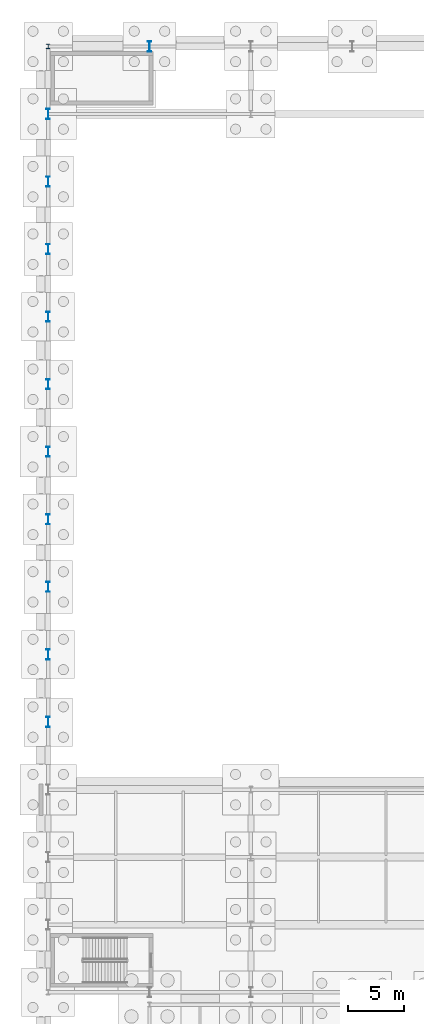
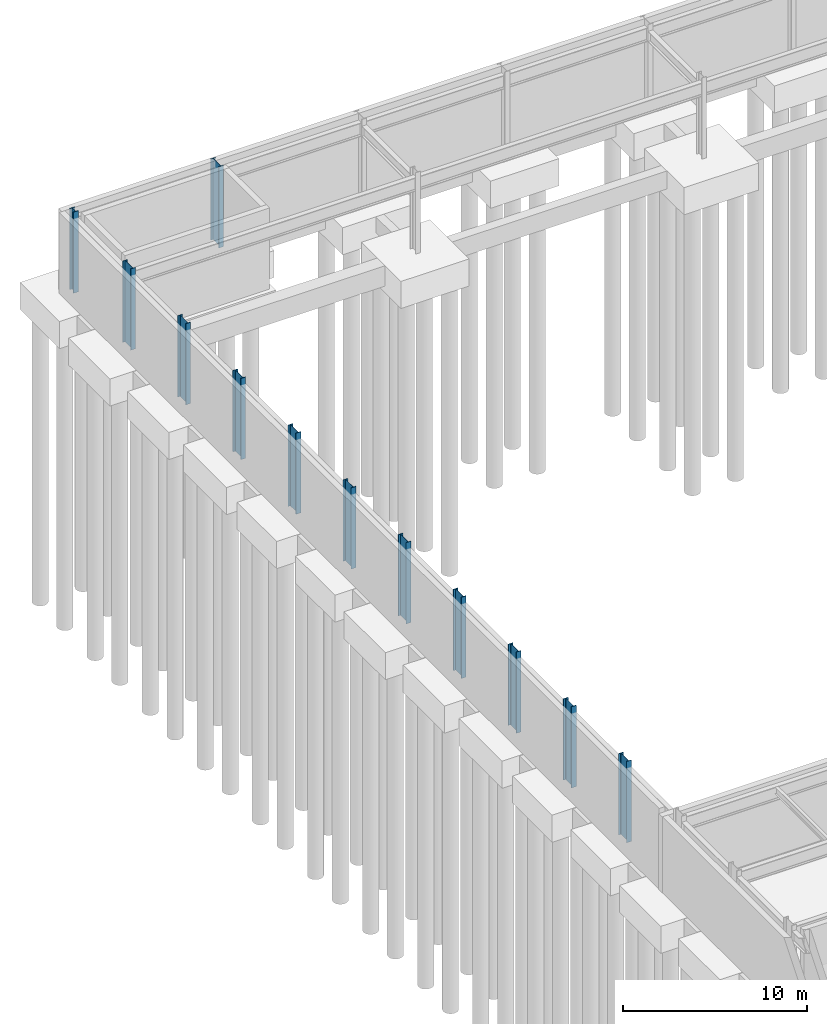
# One storey, part 21 of 65: 12 columns.
"""IFC4 building model written with IfcOpenShell, lengths in metres."""

import ifcopenshell
import ifcopenshell.guid

model = None  # the IFC model being written
_history = None  # IfcOwnerHistory: only IFC2X3 demands one
_inside = {}  # id of a spatial element -> (the spatial element, [elements in it])
_under = {}  # id of a project, library or spatial element -> (it, [spatial elements below it])
_declared = {}  # id of a project -> (the project, [libraries it declares])
_typed = {}  # id of a type object -> (the type object, [elements of that type])
_made_of = {}  # id of a material, layer set ... -> (it, [elements and type objects made of it])


def new_model(schema):
    """Start an empty IFC model of exactly this schema.

    Asked for "IFC4X3", IfcOpenShell would pick the latest addendum, in which some entities
    have other attributes; the version numbers below select the first issue.
    IFC2X3 requires an IfcOwnerHistory on every rooted entity: one is made here for all.
    """
    global model, _history
    if schema == "IFC4X3":
        model = ifcopenshell.file(schema_version=(4, 3, 0, 0))
    else:
        model = ifcopenshell.file(schema=schema)
    _inside.clear()
    _under.clear()
    _declared.clear()
    _typed.clear()
    _made_of.clear()
    _history = None
    if model.schema == "IFC2X3":
        org = make("IfcOrganization", Name="unknown")
        user = make(
            "IfcPersonAndOrganization",
            ThePerson=make("IfcPerson", FamilyName="unknown"),
            TheOrganization=org,
        )
        app = make(
            "IfcApplication",
            ApplicationDeveloper=org,
            Version="unknown",
            ApplicationFullName="unknown",
            ApplicationIdentifier="unknown",
        )
        _history = make(
            "IfcOwnerHistory",
            OwningUser=user,
            OwningApplication=app,
            ChangeAction="ADDED",
            CreationDate=0,
        )
    return model


def make(cls, **values):
    """One entity of the class cls with the attributes given. An attribute that is None is left unset."""
    return model.create_entity(
        cls, **{name: value for name, value in values.items() if value is not None}
    )


def rooted(cls, **values):
    """An entity with a GlobalId (a new one), such as an element, a storey or a relation."""
    return make(cls, GlobalId=ifcopenshell.guid.new(), OwnerHistory=_history, **values)


def si_unit(unit_type, name, prefix=None):
    """IfcSIUnit, for example si_unit("LENGTHUNIT", "METRE", prefix="MILLI")."""
    return make("IfcSIUnit", UnitType=unit_type, Prefix=prefix, Name=name)


def assignment(units):
    """IfcUnitAssignment: the units of a project."""
    return None if units is None else make("IfcUnitAssignment", Units=units)


def point(xyz):
    """IfcCartesianPoint."""
    return None if xyz is None else make("IfcCartesianPoint", Coordinates=xyz)


def direction(xyz):
    """IfcDirection."""
    return None if xyz is None else make("IfcDirection", DirectionRatios=xyz)


def frame(location, z_axis=None, x_axis=None):
    """IfcAxis2Placement3D, a coordinate frame: its origin and axes. An axis left out is left unset."""
    return make(
        "IfcAxis2Placement3D",
        Location=point(location),
        Axis=direction(z_axis),
        RefDirection=direction(x_axis),
    )


def frame_2d(location, x_axis=None):
    """IfcAxis2Placement2D, a coordinate frame in the plane: its origin and x axis."""
    return make(
        "IfcAxis2Placement2D", Location=point(location), RefDirection=direction(x_axis)
    )


def origin():
    """The frame at (0, 0, 0) with its axes left unset."""
    return frame((0.0, 0.0, 0.0))


def origin_2d():
    """The frame at (0, 0) in the plane with its x axis left unset."""
    return frame_2d((0.0, 0.0))


def place(relative_to, where):
    """IfcLocalPlacement: puts the frame where relative to a parent placement (None: the world)."""
    return make(
        "IfcLocalPlacement", PlacementRelTo=relative_to, RelativePlacement=where
    )


def context(
    kind, dimensions, precision=None, world=None, true_north=None, identifier=None
):
    """IfcGeometricRepresentationContext, for example the 3D "Model" context."""
    return make(
        "IfcGeometricRepresentationContext",
        ContextIdentifier=identifier,
        ContextType=kind,
        CoordinateSpaceDimension=dimensions,
        Precision=precision,
        WorldCoordinateSystem=world,
        TrueNorth=true_north,
    )


def subcontext(parent, identifier, kind, view, scale=None):
    """IfcGeometricRepresentationSubContext, for example "Body" below "Model"."""
    return make(
        "IfcGeometricRepresentationSubContext",
        ContextIdentifier=identifier,
        ContextType=kind,
        ParentContext=parent,
        TargetScale=scale,
        TargetView=view,
    )


def project(units=None, contexts=None):
    """IfcProject with its units and contexts."""
    return rooted(
        "IfcProject",
        Name="project",
        RepresentationContexts=contexts,
        UnitsInContext=assignment(units),
    )


def spatial(cls, under=None, at=None, **own):
    """A site, building, storey or space (cls), placed at a placement, below another one or the project."""
    s = rooted(cls, ObjectPlacement=at, **own)
    if under is not None:
        _under.setdefault(under.id(), (under, []))[1].append(s)
    return s


def profile(cls, at=None, kind="AREA", **sizes):
    """A parametric profile (cls). Its sizes go by their IFC names, for example OverallWidth=200.0."""
    return make(cls, ProfileType=kind, Position=at, **sizes)


def i_section(**sizes):
    """IfcIShapeProfileDef."""
    return profile("IfcIShapeProfileDef", **sizes)


def extrude(swept, where, along, depth):
    """IfcExtrudedAreaSolid: the profile swept, set in the frame where, extruded along a direction by depth."""
    return make(
        "IfcExtrudedAreaSolid",
        SweptArea=swept,
        Position=where,
        ExtrudedDirection=direction(along),
        Depth=depth,
    )


def shape(context_of_items, identifier, shape_type, items):
    """IfcShapeRepresentation: the items that make up one representation, for example the "Body"."""
    return make(
        "IfcShapeRepresentation",
        ContextOfItems=context_of_items,
        RepresentationIdentifier=identifier,
        RepresentationType=shape_type,
        Items=items,
    )


def material(Name=None, Category=None):
    """IfcMaterial."""
    return make("IfcMaterial", Name=Name, Category=Category)


def material_profile(
    of_material, cross_section, Name=None, Category=None, Priority=None
):
    """IfcMaterialProfile: a cross section and its material."""
    return make(
        "IfcMaterialProfile",
        Name=Name,
        Material=of_material,
        Profile=cross_section,
        Priority=Priority,
        Category=Category,
    )


def profile_set(profiles, Name=None, composite=None):
    """IfcMaterialProfileSet."""
    return make(
        "IfcMaterialProfileSet",
        Name=Name,
        MaterialProfiles=profiles,
        CompositeProfile=composite,
    )


def made_of(thing, what):
    """Note that an element or type object is made of a material, layer set ...; save() writes the relation."""
    if what is not None:
        _made_of.setdefault(what.id(), (what, []))[1].append(thing)
    return thing


def type_object(cls, material=None, **own):
    """A type object (cls), such as IfcWallType, which elements share."""
    return made_of(rooted(cls, **own), material)


def element(
    cls,
    number,
    at=None,
    inside=None,
    cuts=None,
    type_object=None,
    material=None,
    context=None,
    identifier="Body",
    shape_type=None,
    held_by="IfcProductDefinitionShape",
    body=None,
    shapes=None,
    **own,
):
    """One element of the class cls, such as IfcWall. Its Tag is "e" and its number.

    at: its placement. inside: the storey or other place that contains it. cuts: it is an
    opening in that element (IfcRelVoidsElement). A single representation is given by context,
    identifier, shape_type and body (its items); several are given by shapes. held_by: the class
    of the entity that holds the representations. save() writes the other relations.
    """
    e = rooted(cls, Tag="e%d" % number, ObjectPlacement=at, **own)
    if body is not None:
        shapes = [shape(context, identifier, shape_type, body)]
    if shapes is not None:
        e.Representation = make(held_by, Representations=shapes)
    if inside is not None:
        _inside.setdefault(inside.id(), (inside, []))[1].append(e)
    if cuts is not None:
        rooted(
            "IfcRelVoidsElement", RelatingBuildingElement=cuts, RelatedOpeningElement=e
        )
    if type_object is not None:
        _typed.setdefault(type_object.id(), (type_object, []))[1].append(e)
    return made_of(e, material)


def aggregate(whole, parts):
    """IfcRelAggregates: a whole, such as a stair, and the parts it consists of."""
    return rooted("IfcRelAggregates", RelatingObject=whole, RelatedObjects=parts)


def save(model, path):
    """Write the relations noted so far, then the file.

    IfcRelAggregates (storeys below a building ...), IfcRelContainedInSpatialStructure (elements
    in a storey), IfcRelDefinesByType, IfcRelAssociatesMaterial and IfcRelDeclares: one each for
    every whole, place, type object, material and project.
    """
    for whole, parts in _under.values():
        aggregate(whole, parts)
    for where, things in _inside.values():
        rooted(
            "IfcRelContainedInSpatialStructure",
            RelatedElements=things,
            RelatingStructure=where,
        )
    for kind, things in _typed.values():
        rooted("IfcRelDefinesByType", RelatedObjects=things, RelatingType=kind)
    for what, things in _made_of.values():
        rooted("IfcRelAssociatesMaterial", RelatedObjects=things, RelatingMaterial=what)
    for by, libraries in _declared.values():
        rooted("IfcRelDeclares", RelatingContext=by, RelatedDefinitions=libraries)
    model.write(path)


model = new_model("IFC4")

# Units and contexts
model_context = context("Model", 3, precision=1e-05, world=origin(), true_north=direction((0.0, 1.0)))
body_context = subcontext(model_context, "Body", "Model", "MODEL_VIEW")
ifc_project = project(units=[si_unit("LENGTHUNIT", "METRE"), si_unit("AREAUNIT", "SQUARE_METRE"), si_unit("VOLUMEUNIT", "CUBIC_METRE"), si_unit("PLANEANGLEUNIT", "RADIAN"), si_unit("MASSUNIT", "GRAM", prefix="KILO")], contexts=[model_context])

# Site, building, storey
site_placement = place(None, origin())
site = spatial("IfcSite", under=ifc_project, at=site_placement, CompositionType="ELEMENT")
building_placement = place(site_placement, origin())
building = spatial("IfcBuilding", under=site, at=building_placement, Name="Kaldris Quays Convention Centre", CompositionType="ELEMENT")
storey_placement = place(building_placement, frame((0.0, 0.0, -5.39990234375)))
storey = spatial("IfcBuildingStorey", under=building, at=storey_placement, Name="B1", CompositionType="ELEMENT", Elevation=-5.39990234375)

# Columns
ifc_material_1 = material(Name="Steel S460ML", Category="steel")
ifc_material_profile_1 = material_profile(ifc_material_1, i_section(OverallWidth=0.306884765625, OverallDepth=0.431884765625, WebThickness=0.02099609375, FlangeThickness=0.0400390625, FilletRadius=0.027099609375, at=origin_2d()), Name="HEM 400")
ifc_profile_set_1 = profile_set([ifc_material_profile_1], Name="Steel S460ML")
column_type_1 = type_object("IfcColumnType", Name="STRUCTURAL COLUMN CL01", PredefinedType="COLUMN", material=ifc_profile_set_1)
column_placement = place(storey_placement, frame((20.0, 140.0, 0.0), z_axis=(0.0, 0.0, 1.0), x_axis=(1.0, 0.0, 0.0)))
element("IfcColumn", 1, at=column_placement, inside=storey, type_object=column_type_1, Name="B1 V1 Column CL01 (20.00, 140.00)", PredefinedType="COLUMN", context=body_context, shape_type="SweptSolid", body=[
    extrude(i_section(OverallWidth=0.306884765625, OverallDepth=0.431884765625, WebThickness=0.02099609375, FlangeThickness=0.0400390625, FilletRadius=0.027099609375, at=origin_2d()), origin(), (0.0, 0.0, 1.0), 5.39990234375),
])
ifc_material_2 = material(Name="Steel S355J2", Category="steel")
ifc_material_profile_2 = material_profile(ifc_material_2, i_section(OverallWidth=0.300048828125, OverallDepth=0.89990234375, WebThickness=0.0185546875, FlangeThickness=0.034912109375, FilletRadius=0.030029296875, at=origin_2d()), Name="HEB 900")
ifc_profile_set_2 = profile_set([ifc_material_profile_2], Name="Steel S355J2")
column_type_2 = type_object("IfcColumnType", Name="STRUCTURAL COLUMN CL03", PredefinedType="COLUMN", material=ifc_profile_set_2)
for number, where, z_axis, x_axis, name in (
    (2, (20.0, 80.0, 0.0), (0.0, 0.0, 1.0), (1.0, 0.0, 0.0), "B1 V1 Column CL03 (20.00, 80.00)"),
    (3, (20.0, 86.0, 0.0), (0.0, 0.0, 1.0), (1.0, 0.0, 0.0), "B1 V1 Column CL03 (20.00, 86.00)"),
    (4, (20.0, 92.0, 0.0), (0.0, 0.0, 1.0), (1.0, 0.0, 0.0), "B1 V1 Column CL03 (20.00, 92.00)"),
    (5, (20.0, 98.0, 0.0), (0.0, 0.0, 1.0), (1.0, 0.0, 0.0), "B1 V1 Column CL03 (20.00, 98.00)"),
    (6, (20.0, 104.0, 0.0), (0.0, 0.0, 1.0), (1.0, 0.0, 0.0), "B1 V1 Column CL03 (20.00, 104.00)"),
    (7, (20.0, 110.0, 0.0), (0.0, 0.0, 1.0), (1.0, 0.0, 0.0), "B1 V1 Column CL03 (20.00, 110.00)"),
    (8, (20.0, 116.0, 0.0), (0.0, 0.0, 1.0), (1.0, 0.0, 0.0), "B1 V1 Column CL03 (20.00, 116.00)"),
    (9, (20.0, 122.0, 0.0), (0.0, 0.0, 1.0), (1.0, 0.0, 0.0), "B1 V1 Column CL03 (20.00, 122.00)"),
    (10, (20.0, 128.0, 0.0), (0.0, 0.0, 1.0), (1.0, 0.0, 0.0), "B1 V1 Column CL03 (20.00, 128.00)"),
    (11, (20.0, 134.0, 0.0), (0.0, 0.0, 1.0), (1.0, 0.0, 0.0), "B1 V1 Column CL03 (20.00, 134.00)"),
    (12, (29.0, 140.0, 0.0), (0.0, 0.0, 1.0), (1.0, 0.0, 0.0), "B1 V1 Column CL03 (29.00, 140.00)"),
):
    element("IfcColumn", number, at=place(storey_placement, frame(where, z_axis=z_axis, x_axis=x_axis)), inside=storey, type_object=column_type_2, Name=name, PredefinedType="COLUMN", context=body_context, shape_type="SweptSolid", body=[
        extrude(i_section(OverallWidth=0.300048828125, OverallDepth=0.89990234375, WebThickness=0.0185546875, FlangeThickness=0.034912109375, FilletRadius=0.030029296875, at=origin_2d()), origin(), (0.0, 0.0, 1.0), 5.39990234375),
    ])

save(model, "model.ifc")
